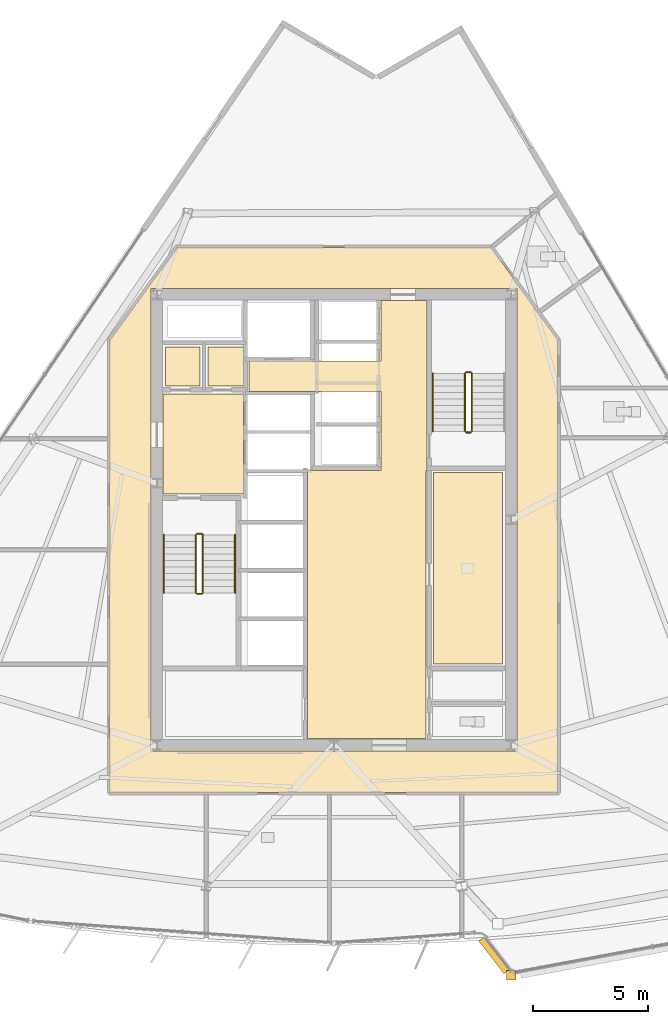
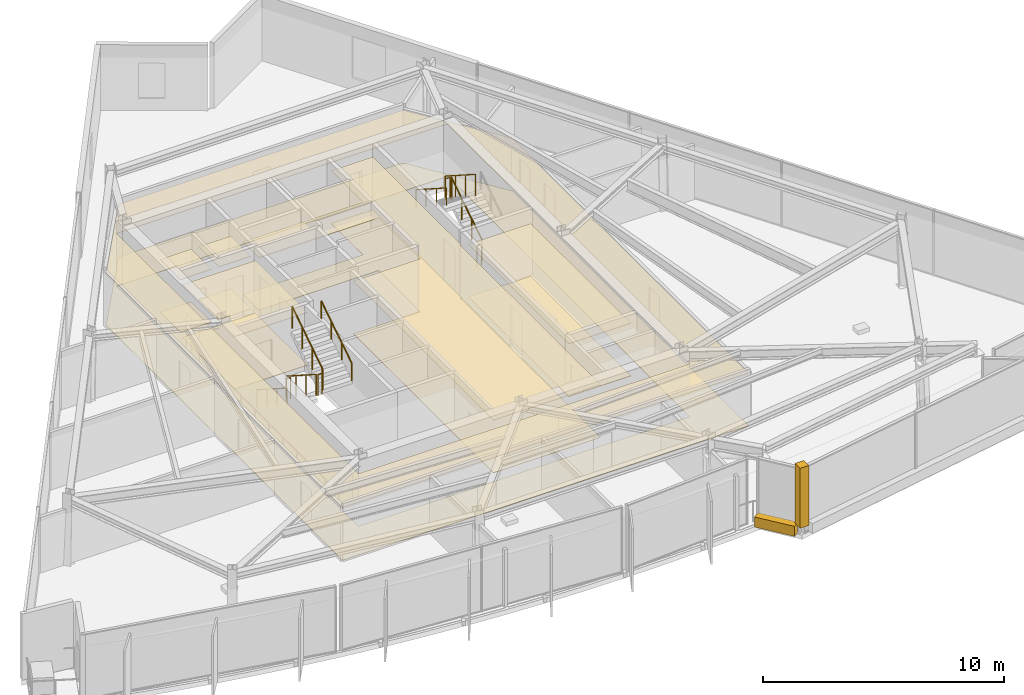
# One storey, part 11 of 13: 14 coverings, 11 railings.
"""IFC4 building model written with IfcOpenShell, lengths in metres."""

from ifc_helpers import new_model, si_unit, direction, frame, origin, origin_2d, place, context, subcontext, project, spatial, polyline, circle, outline, extrude, material, layer, layer_set, type_object, element, save


model = new_model("IFC4")

# Units and contexts
model_context = context("Model", 3, precision=1e-05, world=origin(), true_north=direction((0.0, 1.0)))
body_context = subcontext(model_context, "Body", "Model", "MODEL_VIEW")
ifc_project = project(units=[si_unit("LENGTHUNIT", "METRE"), si_unit("AREAUNIT", "SQUARE_METRE"), si_unit("VOLUMEUNIT", "CUBIC_METRE"), si_unit("PLANEANGLEUNIT", "RADIAN"), si_unit("MASSUNIT", "GRAM", prefix="KILO")], contexts=[model_context])

# Site, building, storey
site_placement = place(None, origin())
site = spatial("IfcSite", under=ifc_project, at=site_placement, CompositionType="ELEMENT")
building_placement = place(site_placement, origin())
building = spatial("IfcBuilding", under=site, at=building_placement, Name="Savorim Split Tower", CompositionType="ELEMENT")
storey_placement = place(building_placement, frame((0.0, 0.0, 216.300048828125)))
storey = spatial("IfcBuildingStorey", under=building, at=storey_placement, Name="L57", CompositionType="ELEMENT", Elevation=216.300048828125)

# Coverings
ifc_material_1 = material(Name="Mineral Fibre Acoustic Ceiling")
ifc_layer_1 = layer(ifc_material_1, 0.02490234375)
ifc_layer_set_1 = layer_set([ifc_layer_1], Name="COV-CEIL-25")
covering_type_1 = type_object("IfcCoveringType", Name="COV-CEIL-25", PredefinedType="CEILING", material=ifc_layer_set_1)
covering_1_placement = place(storey_placement, frame((0.0, 0.0, 2.669921875)))
element("IfcCovering", 1, at=covering_1_placement, inside=storey, type_object=covering_type_1, Name="L57 Firefighting Lift Lobby Acoustic Ceiling", PredefinedType="CEILING", context=body_context, shape_type="SweptSolid", body=[
    extrude(outline(polyline([(-7.429931640625, 5.8701171875), (-7.429931640625, 1.530029296875), (-3.929931640625, 1.530029296875), (-3.929931640625, 5.8701171875), (-7.429931640625, 5.8701171875)])), origin(), (0.0, 0.0, 1.0), 0.025146484375),
])
covering_2_placement = place(storey_placement, frame((0.0, 0.0, 2.669921875)))
element("IfcCovering", 2, at=covering_2_placement, inside=storey, type_object=covering_type_1, Name="L57 Electrical Riser Acoustic Ceiling", PredefinedType="CEILING", context=body_context, shape_type="SweptSolid", body=[
    extrude(outline(polyline([(-7.320068359375, 7.919921875), (-7.320068359375, 6.22998046875), (-5.830078125, 6.22998046875), (-5.830078125, 7.919921875), (-7.320068359375, 7.919921875)])), origin(), (0.0, 0.0, 1.0), 0.025146484375),
])
covering_3_placement = place(storey_placement, frame((0.0, 0.0, 2.669921875)))
element("IfcCovering", 3, at=covering_3_placement, inside=storey, type_object=covering_type_1, Name="L57 Telecom Riser Acoustic Ceiling", PredefinedType="CEILING", context=body_context, shape_type="SweptSolid", body=[
    extrude(outline(polyline([(-5.469970703125, 7.919921875), (-5.469970703125, 6.22998046875), (-3.929931640625, 6.22998046875), (-3.929931640625, 7.919921875), (-5.469970703125, 7.919921875)])), origin(), (0.0, 0.0, 1.0), 0.025146484375),
])
covering_4_placement = place(storey_placement, frame((0.0, 0.0, 2.669921875)))
element("IfcCovering", 4, at=covering_4_placement, inside=storey, type_object=covering_type_1, Name="L57 Lift Lobby Acoustic Ceiling", PredefinedType="CEILING", context=body_context, shape_type="SweptSolid", body=[
    extrude(outline(polyline([(2.050048828125, 2.550048828125), (-1.14990234375, 2.550048828125), (-1.14990234375, -9.10009765625), (4.0, -9.10009765625), (4.0, 2.550048828125), (4.050048828125, 2.550048828125), (4.050048828125, 5.97998046875), (4.050048828125, 7.300048828125), (4.050048828125, 9.929931640625), (2.050048828125, 9.929931640625), (2.050048828125, 7.300048828125), (-3.699951171875, 7.300048828125), (-3.699951171875, 5.97998046875), (2.050048828125, 5.97998046875), (2.050048828125, 2.550048828125)])), origin(), (0.0, 0.0, 1.0), 0.025146484375),
])
covering_5_placement = place(storey_placement, frame((0.0, 0.0, 2.669921875)))
element("IfcCovering", 5, at=covering_5_placement, inside=storey, type_object=covering_type_1, Name="L57 Community Laundry Room Acoustic Ceiling", PredefinedType="CEILING", context=body_context, shape_type="SweptSolid", body=[
    extrude(outline(polyline([(4.330078125, 2.469970703125), (4.330078125, -5.8701171875), (7.320068359375, -5.8701171875), (7.320068359375, 2.469970703125), (4.330078125, 2.469970703125)])), origin(), (0.0, 0.0, 1.0), 0.025146484375),
])
covering_6_placement = place(storey_placement, frame((0.0, 0.0, 2.669921875)))
element("IfcCovering", 6, at=covering_6_placement, inside=storey, type_object=covering_type_1, Name="L57 Corridor Acoustic Ceiling", PredefinedType="CEILING", context=body_context, shape_type="SweptSolid", body=[
    extrude(outline(polyline([(6.809326171875, 12.2490234375), (6.8046875, 12.249755859375), (6.800048828125, 12.25), (-6.800048828125, 12.25), (-6.8046875, 12.249755859375), (-6.809326171875, 12.2490234375), (-6.81396484375, 12.248046875), (-6.818359375, 12.24658203125), (-6.82275390625, 12.244384765625), (-6.826904296875, 12.2421875), (-6.830810546875, 12.239501953125), (-6.834228515625, 12.236328125), (-6.83740234375, 12.23291015625), (-6.840576171875, 12.229248046875), (-9.740478515625, 8.229248046875), (-9.743408203125, 8.22509765625), (-9.74560546875, 8.22021484375), (-9.74755859375, 8.21533203125), (-9.748779296875, 8.21044921875), (-9.749755859375, 8.205078125), (-9.75, 8.199951171875), (-9.75, -11.39990234375), (-9.749755859375, -11.40478515625), (-9.7490234375, -11.409912109375), (-9.747802734375, -11.41455078125), (-9.74609375, -11.419189453125), (-9.744140625, -11.423583984375), (-9.74169921875, -11.427734375), (-9.73876953125, -11.431640625), (-9.7353515625, -11.435302734375), (-9.731689453125, -11.438720703125), (-9.727783203125, -11.441650390625), (-9.7236328125, -11.444091796875), (-9.718994140625, -11.4462890625), (-9.714599609375, -11.44775390625), (-9.709716796875, -11.448974609375), (-9.704833984375, -11.44970703125), (-9.699951171875, -11.449951171875), (9.699951171875, -11.449951171875), (9.704833984375, -11.44970703125), (9.709716796875, -11.448974609375), (9.714599609375, -11.44775390625), (9.718994140625, -11.4462890625), (9.7236328125, -11.444091796875), (9.727783203125, -11.441650390625), (9.731689453125, -11.438720703125), (9.7353515625, -11.435302734375), (9.73876953125, -11.431640625), (9.74169921875, -11.427734375), (9.744140625, -11.423583984375), (9.74609375, -11.419189453125), (9.747802734375, -11.41455078125), (9.7490234375, -11.409912109375), (9.749755859375, -11.40478515625), (9.75, -11.39990234375), (9.75, 8.199951171875), (9.749755859375, 8.205078125), (9.748779296875, 8.21044921875), (9.74755859375, 8.21533203125), (9.74560546875, 8.22021484375), (9.743408203125, 8.22509765625), (9.740478515625, 8.229248046875), (6.840576171875, 12.229248046875), (6.83740234375, 12.23291015625), (6.834228515625, 12.236328125), (6.830810546875, 12.239501953125), (6.826904296875, 12.2421875), (6.82275390625, 12.244384765625), (6.818359375, 12.24658203125), (6.81396484375, 12.248046875), (6.809326171875, 12.2490234375)]), holes=[polyline([(-7.949951171875, 10.449951171875), (-7.949951171875, -9.64990234375), (7.949951171875, -9.64990234375), (7.949951171875, 10.449951171875), (-7.949951171875, 10.449951171875)])]), origin(), (0.0, 0.0, 1.0), 0.025146484375),
])
ifc_material_2 = material(Name="Porcelain Stoneware Flooring", Category="masonry")
ifc_layer_2 = layer(ifc_material_2, 0.02001953125)
ifc_layer_set_2 = layer_set([ifc_layer_2], Name="COV-FLOR-20")
covering_type_2 = type_object("IfcCoveringType", Name="COV-FLOR-20", PredefinedType="FLOORING", material=ifc_layer_set_2)
covering_7_placement = place(storey_placement, origin())
element("IfcCovering", 7, at=covering_7_placement, inside=storey, type_object=covering_type_2, Name="L57 Firefighting Lift Lobby Porcelain Flooring", PredefinedType="FLOORING", context=body_context, shape_type="SweptSolid", body=[
    extrude(outline(polyline([(-7.429931640625, 5.8701171875), (-7.429931640625, 1.530029296875), (-3.929931640625, 1.530029296875), (-3.929931640625, 5.8701171875), (-7.429931640625, 5.8701171875)])), origin(), (0.0, 0.0, 1.0), 0.02001953125),
])
covering_8_placement = place(storey_placement, origin())
element("IfcCovering", 8, at=covering_8_placement, inside=storey, type_object=covering_type_2, Name="L57 Electrical Riser Porcelain Flooring", PredefinedType="FLOORING", context=body_context, shape_type="SweptSolid", body=[
    extrude(outline(polyline([(-7.320068359375, 7.919921875), (-7.320068359375, 6.22998046875), (-5.830078125, 6.22998046875), (-5.830078125, 7.919921875), (-7.320068359375, 7.919921875)])), origin(), (0.0, 0.0, 1.0), 0.02001953125),
])
covering_9_placement = place(storey_placement, origin())
element("IfcCovering", 9, at=covering_9_placement, inside=storey, type_object=covering_type_2, Name="L57 Telecom Riser Porcelain Flooring", PredefinedType="FLOORING", context=body_context, shape_type="SweptSolid", body=[
    extrude(outline(polyline([(-5.469970703125, 7.919921875), (-5.469970703125, 6.22998046875), (-3.929931640625, 6.22998046875), (-3.929931640625, 7.919921875), (-5.469970703125, 7.919921875)])), origin(), (0.0, 0.0, 1.0), 0.02001953125),
])
covering_10_placement = place(storey_placement, origin())
element("IfcCovering", 10, at=covering_10_placement, inside=storey, type_object=covering_type_2, Name="L57 Lift Lobby Porcelain Flooring", PredefinedType="FLOORING", context=body_context, shape_type="SweptSolid", body=[
    extrude(outline(polyline([(2.050048828125, 2.550048828125), (-1.14990234375, 2.550048828125), (-1.14990234375, -9.10009765625), (4.0, -9.10009765625), (4.0, 2.550048828125), (4.050048828125, 2.550048828125), (4.050048828125, 5.97998046875), (4.050048828125, 7.300048828125), (4.050048828125, 9.929931640625), (2.050048828125, 9.929931640625), (2.050048828125, 7.300048828125), (-3.699951171875, 7.300048828125), (-3.699951171875, 5.97998046875), (2.050048828125, 5.97998046875), (2.050048828125, 2.550048828125)])), origin(), (0.0, 0.0, 1.0), 0.02001953125),
])
covering_11_placement = place(storey_placement, origin())
element("IfcCovering", 11, at=covering_11_placement, inside=storey, type_object=covering_type_2, Name="L57 Community Laundry Room Porcelain Flooring", PredefinedType="FLOORING", context=body_context, shape_type="SweptSolid", body=[
    extrude(outline(polyline([(4.330078125, 2.469970703125), (4.330078125, -5.8701171875), (7.320068359375, -5.8701171875), (7.320068359375, 2.469970703125), (4.330078125, 2.469970703125)])), origin(), (0.0, 0.0, 1.0), 0.02001953125),
])
covering_12_placement = place(storey_placement, origin())
element("IfcCovering", 12, at=covering_12_placement, inside=storey, type_object=covering_type_2, Name="L57 Corridor Porcelain Flooring", PredefinedType="FLOORING", context=body_context, shape_type="SweptSolid", body=[
    extrude(outline(polyline([(6.809326171875, 12.2490234375), (6.8046875, 12.249755859375), (6.800048828125, 12.25), (-6.800048828125, 12.25), (-6.8046875, 12.249755859375), (-6.809326171875, 12.2490234375), (-6.81396484375, 12.248046875), (-6.818359375, 12.24658203125), (-6.82275390625, 12.244384765625), (-6.826904296875, 12.2421875), (-6.830810546875, 12.239501953125), (-6.834228515625, 12.236328125), (-6.83740234375, 12.23291015625), (-6.840576171875, 12.229248046875), (-9.740478515625, 8.229248046875), (-9.743408203125, 8.22509765625), (-9.74560546875, 8.22021484375), (-9.74755859375, 8.21533203125), (-9.748779296875, 8.21044921875), (-9.749755859375, 8.205078125), (-9.75, 8.199951171875), (-9.75, -11.39990234375), (-9.749755859375, -11.40478515625), (-9.7490234375, -11.409912109375), (-9.747802734375, -11.41455078125), (-9.74609375, -11.419189453125), (-9.744140625, -11.423583984375), (-9.74169921875, -11.427734375), (-9.73876953125, -11.431640625), (-9.7353515625, -11.435302734375), (-9.731689453125, -11.438720703125), (-9.727783203125, -11.441650390625), (-9.7236328125, -11.444091796875), (-9.718994140625, -11.4462890625), (-9.714599609375, -11.44775390625), (-9.709716796875, -11.448974609375), (-9.704833984375, -11.44970703125), (-9.699951171875, -11.449951171875), (9.699951171875, -11.449951171875), (9.704833984375, -11.44970703125), (9.709716796875, -11.448974609375), (9.714599609375, -11.44775390625), (9.718994140625, -11.4462890625), (9.7236328125, -11.444091796875), (9.727783203125, -11.441650390625), (9.731689453125, -11.438720703125), (9.7353515625, -11.435302734375), (9.73876953125, -11.431640625), (9.74169921875, -11.427734375), (9.744140625, -11.423583984375), (9.74609375, -11.419189453125), (9.747802734375, -11.41455078125), (9.7490234375, -11.409912109375), (9.749755859375, -11.40478515625), (9.75, -11.39990234375), (9.75, 8.199951171875), (9.749755859375, 8.205078125), (9.748779296875, 8.21044921875), (9.74755859375, 8.21533203125), (9.74560546875, 8.22021484375), (9.743408203125, 8.22509765625), (9.740478515625, 8.229248046875), (6.840576171875, 12.229248046875), (6.83740234375, 12.23291015625), (6.834228515625, 12.236328125), (6.830810546875, 12.239501953125), (6.826904296875, 12.2421875), (6.82275390625, 12.244384765625), (6.818359375, 12.24658203125), (6.81396484375, 12.248046875), (6.809326171875, 12.2490234375)]), holes=[polyline([(-7.949951171875, 10.449951171875), (-7.949951171875, -9.64990234375), (7.949951171875, -9.64990234375), (7.949951171875, 10.449951171875), (-7.949951171875, 10.449951171875)])]), origin(), (0.0, 0.0, 1.0), 0.02001953125),
])
ifc_material_3 = material(Name="White Porcelain Architectural Cladding")
ifc_layer_3 = layer(ifc_material_3, 0.139892578125)
ifc_layer_set_3 = layer_set([ifc_layer_3], Name="COV-FRM-WHITE")
covering_type_3 = type_object("IfcCoveringType", Name="COV-FRM-WHITE", PredefinedType="CLADDING", material=ifc_layer_set_3)
covering_13_placement = place(storey_placement, frame((0.0, 0.0, 0.010009765625)))
element("IfcCovering", 13, at=covering_13_placement, inside=storey, type_object=covering_type_3, Name="L57 Cantilevered Lounge White Lower Frame Band W", PredefinedType="CLADDING", context=body_context, shape_type="SweptSolid", body=[
    extrude(outline(polyline([(6.29443359375, -17.915771484375), (7.394287109375, -19.340576171875), (7.663330078125, -19.1328125), (6.563720703125, -17.7080078125), (6.29443359375, -17.915771484375)])), origin(), (0.0, 0.0, 1.0), 0.510009765625),
])
covering_14_placement = place(storey_placement, frame((0.0, 0.0, 0.5400390625)))
element("IfcCovering", 14, at=covering_14_placement, inside=storey, type_object=covering_type_3, Name="L57 Cantilevered Lounge White Frame Corner Post 1", PredefinedType="CLADDING", context=body_context, shape_type="SweptSolid", body=[
    extrude(outline(polyline([(7.5048828125, -19.606201171875), (7.925048828125, -19.606201171875), (7.925048828125, -19.186279296875), (7.5048828125, -19.186279296875), (7.5048828125, -19.606201171875)])), origin(), (0.0, 0.0, 1.0), 3.0498046875),
])

# Railings
ifc_material_4 = material(Name="Galvanised Painted Steel Balustrade", Category="steel")
railing_type_1 = type_object("IfcRailingType", Name="RLG-HR-900", PredefinedType="HANDRAIL", material=ifc_material_4)
railing_1_placement = place(storey_placement, frame((-7.39990234375, -0.25, 0.179931640625)))
element("IfcRailing", 15, at=railing_1_placement, inside=storey, type_object=railing_type_1, Name="L57 ST-1 stair handrail 1", PredefinedType="HANDRAIL", context=body_context, shape_type="SweptSolid", body=[
    extrude(circle(Radius=0.02392578125, at=origin_2d()), frame((0.0, 0.0, 0.8759765625), z_axis=(0.0, -0.841162588446, 0.540782303519), x_axis=(1.0, 0.0, 0.0)), (0.0, 0.0, 1.0), 2.995849609375),
    extrude(circle(Radius=0.02099609375, at=origin_2d()), origin(), (0.0, 0.0, 1.0), 0.851806640625),
    extrude(circle(Radius=0.02099609375, at=origin_2d()), frame((0.0, -0.840087890625, 0.5400390625)), (0.0, 0.0, 1.0), 0.851806640625),
    extrude(circle(Radius=0.02099609375, at=origin_2d()), frame((0.0, -1.679931640625, 1.080078125)), (0.0, 0.0, 1.0), 0.851806640625),
    extrude(circle(Radius=0.02099609375, at=origin_2d()), frame((0.0, -2.52001953125, 1.6201171875)), (0.0, 0.0, 1.0), 0.851806640625),
])
railing_2_placement = place(storey_placement, frame((-4.300048828125, -2.77001953125, 1.97998046875)))
element("IfcRailing", 16, at=railing_2_placement, inside=storey, type_object=railing_type_1, Name="L57 ST-1 stair handrail 2", PredefinedType="HANDRAIL", context=body_context, shape_type="SweptSolid", body=[
    extrude(circle(Radius=0.02392578125, at=origin_2d()), frame((0.0, 0.0, 0.8759765625), z_axis=(0.0, 0.841199657755, 0.540724639528), x_axis=(-1.0, 0.0, 0.0)), (0.0, 0.0, 1.0), 2.995849609375),
    extrude(circle(Radius=0.02099609375, at=origin_2d()), origin(), (0.0, 0.0, 1.0), 0.851806640625),
    extrude(circle(Radius=0.02099609375, at=origin_2d()), frame((0.0, 0.840087890625, 0.5400390625)), (0.0, 0.0, 1.0), 0.851806640625),
    extrude(circle(Radius=0.02099609375, at=origin_2d()), frame((0.0, 1.679931640625, 1.079833984375)), (0.0, 0.0, 1.0), 0.851806640625),
    extrude(circle(Radius=0.02099609375, at=origin_2d()), frame((0.0, 2.52001953125, 1.619873046875)), (0.0, 0.0, 1.0), 0.851806640625),
])
railing_3_placement = place(storey_placement, frame((4.300048828125, 6.77001953125, 1.97998046875)))
element("IfcRailing", 17, at=railing_3_placement, inside=storey, type_object=railing_type_1, Name="L57 ST-2 stair handrail 2", PredefinedType="HANDRAIL", context=body_context, shape_type="SweptSolid", body=[
    extrude(circle(Radius=0.02392578125, at=origin_2d()), frame((0.0, 0.0, 0.8759765625), z_axis=(0.0, -0.841199657755, 0.540724639528), x_axis=(1.0, 0.0, 0.0)), (0.0, 0.0, 1.0), 2.995849609375),
    extrude(circle(Radius=0.02099609375, at=origin_2d()), origin(), (0.0, 0.0, 1.0), 0.851806640625),
    extrude(circle(Radius=0.02099609375, at=origin_2d()), frame((0.0, -0.840087890625, 0.5400390625)), (0.0, 0.0, 1.0), 0.851806640625),
    extrude(circle(Radius=0.02099609375, at=origin_2d()), frame((0.0, -1.679931640625, 1.079833984375)), (0.0, 0.0, 1.0), 0.851806640625),
    extrude(circle(Radius=0.02099609375, at=origin_2d()), frame((0.0, -2.52001953125, 1.619873046875)), (0.0, 0.0, 1.0), 0.851806640625),
])
railing_type_2 = type_object("IfcRailingType", Name="RLG-STG-1100", PredefinedType="BALUSTRADE", material=ifc_material_4)
railing_4_placement = place(storey_placement, frame((-6.0, -0.25, 0.179931640625)))
element("IfcRailing", 18, at=railing_4_placement, inside=storey, type_object=railing_type_2, Name="L57 ST-1 stair guard 1", PredefinedType="BALUSTRADE", context=body_context, shape_type="SweptSolid", body=[
    extrude(circle(Radius=0.02392578125, at=origin_2d()), frame((0.0, 0.0, 1.076171875), z_axis=(0.0, -0.841162588446, 0.540782303519), x_axis=(1.0, 0.0, 0.0)), (0.0, 0.0, 1.0), 2.995849609375),
    extrude(circle(Radius=0.02099609375, at=origin_2d()), origin(), (0.0, 0.0, 1.0), 1.052001953125),
    extrude(circle(Radius=0.02099609375, at=origin_2d()), frame((0.0, -0.840087890625, 0.5400390625)), (0.0, 0.0, 1.0), 1.052001953125),
    extrude(circle(Radius=0.02099609375, at=origin_2d()), frame((0.0, -1.679931640625, 1.080078125)), (0.0, 0.0, 1.0), 1.052001953125),
    extrude(circle(Radius=0.02099609375, at=origin_2d()), frame((0.0, -2.52001953125, 1.6201171875)), (0.0, 0.0, 1.0), 1.052001953125),
])
railing_5_placement = place(storey_placement, frame((-5.949951171875, -2.820068359375, 1.800048828125)))
element("IfcRailing", 19, at=railing_5_placement, inside=storey, type_object=railing_type_2, Name="L57 ST-1 stair guard 2", PredefinedType="BALUSTRADE", context=body_context, shape_type="SweptSolid", body=[
    extrude(circle(Radius=0.02392578125, at=origin_2d()), frame((0.0, 0.0, 1.076171875), z_axis=(1.0, 0.0, 0.0), x_axis=(0.0, 1.0, 0.0)), (0.0, 0.0, 1.0), 0.199951171875),
    extrude(circle(Radius=0.02099609375, at=origin_2d()), origin(), (0.0, 0.0, 1.0), 1.052001953125),
    extrude(circle(Radius=0.02099609375, at=origin_2d()), frame((0.199951171875, 0.0, 0.0)), (0.0, 0.0, 1.0), 1.052001953125),
])
railing_6_placement = place(storey_placement, frame((-5.699951171875, -2.77001953125, 1.97998046875)))
element("IfcRailing", 20, at=railing_6_placement, inside=storey, type_object=railing_type_2, Name="L57 ST-1 stair guard 3", PredefinedType="BALUSTRADE", context=body_context, shape_type="SweptSolid", body=[
    extrude(circle(Radius=0.02392578125, at=origin_2d()), frame((0.0, 0.0, 1.076171875), z_axis=(0.0, 0.841199657755, 0.540724639528), x_axis=(-1.0, 0.0, 0.0)), (0.0, 0.0, 1.0), 2.995849609375),
    extrude(circle(Radius=0.02099609375, at=origin_2d()), origin(), (0.0, 0.0, 1.0), 1.052001953125),
    extrude(circle(Radius=0.02099609375, at=origin_2d()), frame((0.0, 0.840087890625, 0.5400390625)), (0.0, 0.0, 1.0), 1.052001953125),
    extrude(circle(Radius=0.02099609375, at=origin_2d()), frame((0.0, 1.679931640625, 1.079833984375)), (0.0, 0.0, 1.0), 1.052001953125),
    extrude(circle(Radius=0.02099609375, at=origin_2d()), frame((0.0, 2.52001953125, 1.619873046875)), (0.0, 0.0, 1.0), 1.052001953125),
])
railing_7_placement = place(storey_placement, frame((-5.949951171875, -0.199951171875, 0.0)))
element("IfcRailing", 21, at=railing_7_placement, inside=storey, type_object=railing_type_2, Name="L57 ST-1 stair guard 4", PredefinedType="BALUSTRADE", context=body_context, shape_type="SweptSolid", body=[
    extrude(circle(Radius=0.02392578125, at=origin_2d()), frame((0.0, 0.0, 1.076171875), z_axis=(1.0, 0.0, 0.0), x_axis=(0.0, 1.0, 0.0)), (0.0, 0.0, 1.0), 0.199951171875),
    extrude(circle(Radius=0.02099609375, at=origin_2d()), origin(), (0.0, 0.0, 1.0), 1.052001953125),
    extrude(circle(Radius=0.02099609375, at=origin_2d()), frame((0.199951171875, 0.0, 0.0)), (0.0, 0.0, 1.0), 1.052001953125),
])
railing_8_placement = place(storey_placement, frame((6.0, 4.25, 0.179931640625)))
element("IfcRailing", 22, at=railing_8_placement, inside=storey, type_object=railing_type_2, Name="L57 ST-2 stair guard 1", PredefinedType="BALUSTRADE", context=body_context, shape_type="SweptSolid", body=[
    extrude(circle(Radius=0.02392578125, at=origin_2d()), frame((0.0, 0.0, 1.076171875), z_axis=(0.0, 0.841162588446, 0.540782303519), x_axis=(-1.0, 0.0, 0.0)), (0.0, 0.0, 1.0), 2.995849609375),
    extrude(circle(Radius=0.02099609375, at=origin_2d()), origin(), (0.0, 0.0, 1.0), 1.052001953125),
    extrude(circle(Radius=0.02099609375, at=origin_2d()), frame((0.0, 0.840087890625, 0.5400390625)), (0.0, 0.0, 1.0), 1.052001953125),
    extrude(circle(Radius=0.02099609375, at=origin_2d()), frame((0.0, 1.679931640625, 1.080078125)), (0.0, 0.0, 1.0), 1.052001953125),
    extrude(circle(Radius=0.02099609375, at=origin_2d()), frame((0.0, 2.52001953125, 1.6201171875)), (0.0, 0.0, 1.0), 1.052001953125),
])
railing_9_placement = place(storey_placement, frame((5.949951171875, 6.820068359375, 1.800048828125)))
element("IfcRailing", 23, at=railing_9_placement, inside=storey, type_object=railing_type_2, Name="L57 ST-2 stair guard 2", PredefinedType="BALUSTRADE", context=body_context, shape_type="SweptSolid", body=[
    extrude(circle(Radius=0.02392578125, at=origin_2d()), frame((0.0, 0.0, 1.076171875), z_axis=(-1.0, 0.0, 0.0), x_axis=(0.0, -1.0, 0.0)), (0.0, 0.0, 1.0), 0.199951171875),
    extrude(circle(Radius=0.02099609375, at=origin_2d()), origin(), (0.0, 0.0, 1.0), 1.052001953125),
    extrude(circle(Radius=0.02099609375, at=origin_2d()), frame((-0.199951171875, 0.0, 0.0)), (0.0, 0.0, 1.0), 1.052001953125),
])
railing_10_placement = place(storey_placement, frame((5.699951171875, 6.77001953125, 1.97998046875)))
element("IfcRailing", 24, at=railing_10_placement, inside=storey, type_object=railing_type_2, Name="L57 ST-2 stair guard 3", PredefinedType="BALUSTRADE", context=body_context, shape_type="SweptSolid", body=[
    extrude(circle(Radius=0.02392578125, at=origin_2d()), frame((0.0, 0.0, 1.076171875), z_axis=(0.0, -0.841199657755, 0.540724639528), x_axis=(1.0, 0.0, 0.0)), (0.0, 0.0, 1.0), 2.995849609375),
    extrude(circle(Radius=0.02099609375, at=origin_2d()), origin(), (0.0, 0.0, 1.0), 1.052001953125),
    extrude(circle(Radius=0.02099609375, at=origin_2d()), frame((0.0, -0.840087890625, 0.5400390625)), (0.0, 0.0, 1.0), 1.052001953125),
    extrude(circle(Radius=0.02099609375, at=origin_2d()), frame((0.0, -1.679931640625, 1.079833984375)), (0.0, 0.0, 1.0), 1.052001953125),
    extrude(circle(Radius=0.02099609375, at=origin_2d()), frame((0.0, -2.52001953125, 1.619873046875)), (0.0, 0.0, 1.0), 1.052001953125),
])
railing_11_placement = place(storey_placement, frame((5.949951171875, 4.199951171875, 0.0)))
element("IfcRailing", 25, at=railing_11_placement, inside=storey, type_object=railing_type_2, Name="L57 ST-2 stair guard 4", PredefinedType="BALUSTRADE", context=body_context, shape_type="SweptSolid", body=[
    extrude(circle(Radius=0.02392578125, at=origin_2d()), frame((0.0, 0.0, 1.076171875), z_axis=(-1.0, 0.0, 0.0), x_axis=(0.0, -1.0, 0.0)), (0.0, 0.0, 1.0), 0.199951171875),
    extrude(circle(Radius=0.02099609375, at=origin_2d()), origin(), (0.0, 0.0, 1.0), 1.052001953125),
    extrude(circle(Radius=0.02099609375, at=origin_2d()), frame((-0.199951171875, 0.0, 0.0)), (0.0, 0.0, 1.0), 1.052001953125),
])

save(model, "model.ifc")
